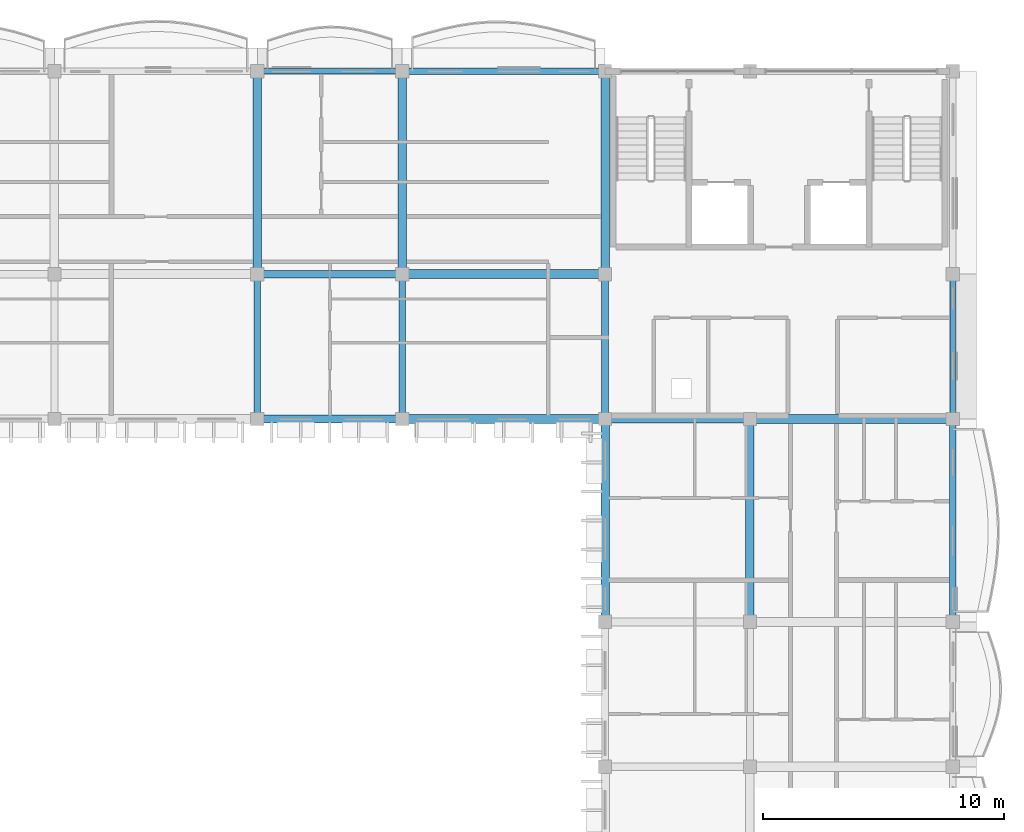
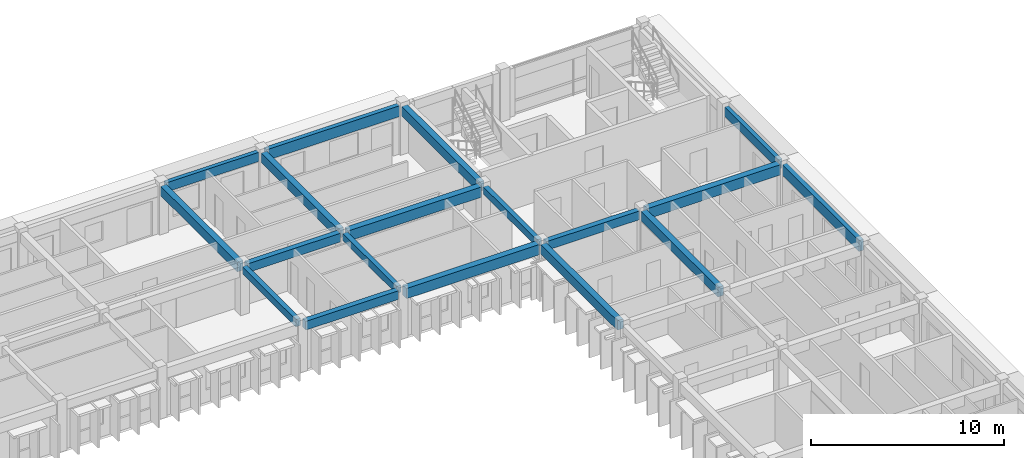
# One storey, part 8 of 59: 18 beams.
"""IFC4 building model written with IfcOpenShell, lengths in metres."""

from ifc_helpers import new_model, si_unit, direction, frame, origin, origin_2d, place, context, subcontext, project, spatial, rectangle, extrude, material, material_profile, profile_set, type_object, element, save


model = new_model("IFC4")

# Units and contexts
model_context = context("Model", 3, precision=1e-05, world=origin(), true_north=direction((0.0, 1.0)))
body_context = subcontext(model_context, "Body", "Model", "MODEL_VIEW")
ifc_project = project(units=[si_unit("LENGTHUNIT", "METRE"), si_unit("AREAUNIT", "SQUARE_METRE"), si_unit("VOLUMEUNIT", "CUBIC_METRE"), si_unit("PLANEANGLEUNIT", "RADIAN"), si_unit("MASSUNIT", "GRAM", prefix="KILO"), si_unit("THERMODYNAMICTEMPERATUREUNIT", "KELVIN")], contexts=[model_context])

# Site, building, storey
site_placement = place(None, origin())
site = spatial("IfcSite", under=ifc_project, at=site_placement, CompositionType="ELEMENT")
building_placement = place(site_placement, origin())
building = spatial("IfcBuilding", under=site, at=building_placement, Name="Thalorik Housing Commons", CompositionType="ELEMENT")
storey_placement = place(building_placement, frame((0.0, 0.0, 27.89990234375)))
storey = spatial("IfcBuildingStorey", under=building, at=storey_placement, Name="L08", CompositionType="ELEMENT", Elevation=27.89990234375)

# Beams
ifc_material = material(Name="Precast concrete C40/50", Category="concrete")
ifc_material_profile_1 = material_profile(ifc_material, rectangle(XDim=0.280029296875, YDim=0.449951171875, at=origin_2d()), Name="PC 280x450", Category="concrete")
ifc_profile_set_1 = profile_set([ifc_material_profile_1], Name="Precast concrete C40/50")
beam_type_1 = type_object("IfcBeamType", Name="STR-BM-PC280x450", PredefinedType="BEAM", material=ifc_profile_set_1)
for number, where, z_axis, x_axis, name in (
    (1, (138.0, 109.425048828125, 2.815185546875), (0.0, 1.0, 0.0), (-1.0, 0.0, 0.0), "L08 Beam B-450"),
    (2, (144.0, 109.425048828125, 2.815185546875), (0.0, 1.0, 0.0), (-1.0, 0.0, 0.0), "L08 Beam B-450"),
    (3, (152.39990234375, 109.425048828125, 2.815185546875), (0.0, 1.0, 0.0), (-1.0, 0.0, 0.0), "L08 Beam B-450"),
):
    element("IfcBeam", number, at=place(storey_placement, frame(where, z_axis=z_axis, x_axis=x_axis)), inside=storey, type_object=beam_type_1, Name=name, PredefinedType="BEAM", context=body_context, shape_type="SweptSolid", body=[
        extrude(rectangle(XDim=0.280029296875, YDim=0.449951171875, at=origin_2d()), origin(), (0.0, 0.0, 1.0), 5.550048828125),
    ])
ifc_material_profile_2 = material_profile(ifc_material, rectangle(XDim=0.320068359375, YDim=0.550048828125, at=origin_2d()), Name="PC 320x550", Category="concrete")
ifc_profile_set_2 = profile_set([ifc_material_profile_2], Name="Precast concrete C40/50")
beam_type_2 = type_object("IfcBeamType", Name="STR-BM-PC320x550", PredefinedType="BEAM", material=ifc_profile_set_2)
beam_1_placement = place(storey_placement, frame((138.22509765625, 109.199951171875, 2.76513671875), z_axis=(1.0, 0.0, 0.0), x_axis=(0.0, 1.0, 0.0)))
element("IfcBeam", 4, at=beam_1_placement, inside=storey, type_object=beam_type_2, Name="L08 Beam B-550", PredefinedType="BEAM", context=body_context, shape_type="SweptSolid", body=[
    extrude(rectangle(XDim=0.320068359375, YDim=0.550048828125, at=origin_2d()), origin(), (0.0, 0.0, 1.0), 5.5498046875),
])
beam_2_placement = place(storey_placement, frame((152.625, 109.199951171875, 2.76513671875), z_axis=(1.0, 0.0, 0.0), x_axis=(0.0, 1.0, 0.0)))
element("IfcBeam", 5, at=beam_2_placement, inside=storey, type_object=beam_type_2, Name="L08 Beam B-550", PredefinedType="BEAM", context=body_context, shape_type="SweptSolid", body=[
    extrude(rectangle(XDim=0.320068359375, YDim=0.550048828125, at=origin_2d()), origin(), (0.0, 0.0, 1.0), 5.550048828125),
])
beam_3_placement = place(storey_placement, frame((138.22509765625, 115.199951171875, 2.76513671875), z_axis=(1.0, 0.0, 0.0), x_axis=(0.0, 1.0, 0.0)))
element("IfcBeam", 6, at=beam_3_placement, inside=storey, type_object=beam_type_2, Name="L08 Beam B-550", PredefinedType="BEAM", context=body_context, shape_type="SweptSolid", body=[
    extrude(rectangle(XDim=0.320068359375, YDim=0.550048828125, at=origin_2d()), origin(), (0.0, 0.0, 1.0), 5.5498046875),
])
ifc_material_profile_3 = material_profile(ifc_material, rectangle(XDim=0.35009765625, YDim=0.60009765625, at=origin_2d()), Name="PC 350x600", Category="concrete")
ifc_profile_set_3 = profile_set([ifc_material_profile_3], Name="Precast concrete C40/50")
beam_type_3 = type_object("IfcBeamType", Name="STR-BM-PC350x600", PredefinedType="BEAM", material=ifc_profile_set_3)
for number, where, z_axis, x_axis, name in (
    (7, (138.0, 115.425048828125, 2.739990234375), (0.0, 1.0, 0.0), (-1.0, 0.0, 0.0), "L08 Beam B-600"),
    (8, (144.0, 115.425048828125, 2.739990234375), (0.0, 1.0, 0.0), (-1.0, 0.0, 0.0), "L08 Beam B-600"),
):
    element("IfcBeam", number, at=place(storey_placement, frame(where, z_axis=z_axis, x_axis=x_axis)), inside=storey, type_object=beam_type_3, Name=name, PredefinedType="BEAM", context=body_context, shape_type="SweptSolid", body=[
        extrude(rectangle(XDim=0.35009765625, YDim=0.60009765625, at=origin_2d()), origin(), (0.0, 0.0, 1.0), 7.949951171875),
    ])
beam_4_placement = place(storey_placement, frame((152.39990234375, 101.02490234375, 2.739990234375), z_axis=(0.0, 1.0, 0.0), x_axis=(-1.0, 0.0, 0.0)))
element("IfcBeam", 9, at=beam_4_placement, inside=storey, type_object=beam_type_3, Name="L08 Beam B-600", PredefinedType="BEAM", context=body_context, shape_type="SweptSolid", body=[
    extrude(rectangle(XDim=0.35009765625, YDim=0.60009765625, at=origin_2d()), origin(), (0.0, 0.0, 1.0), 7.9501953125),
])
beam_5_placement = place(storey_placement, frame((152.39990234375, 115.425048828125, 2.739990234375), z_axis=(0.0, 1.0, 0.0), x_axis=(-1.0, 0.0, 0.0)))
element("IfcBeam", 10, at=beam_5_placement, inside=storey, type_object=beam_type_3, Name="L08 Beam B-600", PredefinedType="BEAM", context=body_context, shape_type="SweptSolid", body=[
    extrude(rectangle(XDim=0.35009765625, YDim=0.60009765625, at=origin_2d()), origin(), (0.0, 0.0, 1.0), 7.949951171875),
])
beam_6_placement = place(storey_placement, frame((158.39990234375, 101.02490234375, 2.739990234375), z_axis=(0.0, 1.0, 0.0), x_axis=(-1.0, 0.0, 0.0)))
element("IfcBeam", 11, at=beam_6_placement, inside=storey, type_object=beam_type_3, Name="L08 Beam B-600", PredefinedType="BEAM", context=body_context, shape_type="SweptSolid", body=[
    extrude(rectangle(XDim=0.35009765625, YDim=0.60009765625, at=origin_2d()), origin(), (0.0, 0.0, 1.0), 7.9501953125),
])
ifc_material_profile_4 = material_profile(ifc_material, rectangle(XDim=0.3798828125, YDim=0.64990234375, at=origin_2d()), Name="PC 380x650", Category="concrete")
ifc_profile_set_4 = profile_set([ifc_material_profile_4], Name="Precast concrete C40/50")
beam_type_4 = type_object("IfcBeamType", Name="STR-BM-PC380x650", PredefinedType="BEAM", material=ifc_profile_set_4)
for number, where, z_axis, x_axis, name in (
    (12, (144.22509765625, 109.199951171875, 2.715087890625), (1.0, 0.0, 0.0), (0.0, 1.0, 0.0), "L08 Beam B-650"),
    (13, (158.625, 109.199951171875, 2.715087890625), (1.0, 0.0, 0.0), (0.0, 1.0, 0.0), "L08 Beam B-650"),
    (14, (144.22509765625, 115.199951171875, 2.715087890625), (1.0, 0.0, 0.0), (0.0, 1.0, 0.0), "L08 Beam B-650"),
):
    element("IfcBeam", number, at=place(storey_placement, frame(where, z_axis=z_axis, x_axis=x_axis)), inside=storey, type_object=beam_type_4, Name=name, PredefinedType="BEAM", context=body_context, shape_type="SweptSolid", body=[
        extrude(rectangle(XDim=0.3798828125, YDim=0.64990234375, at=origin_2d()), origin(), (0.0, 0.0, 1.0), 7.949951171875),
    ])
ifc_material_profile_5 = material_profile(ifc_material, rectangle(XDim=0.239990234375, YDim=0.580078125, at=origin_2d()), Name="PC SP 240x580", Category="concrete")
ifc_profile_set_5 = profile_set([ifc_material_profile_5], Name="Precast concrete C40/50")
beam_type_5 = type_object("IfcBeamType", Name="STR-SP-PC240x580", PredefinedType="SPANDREL", material=ifc_profile_set_5)
beam_7_placement = place(storey_placement, frame((138.22509765625, 123.60009765625, 2.75), z_axis=(1.0, 0.0, 0.0), x_axis=(0.0, 1.0, 0.0)))
element("IfcBeam", 15, at=beam_7_placement, inside=storey, type_object=beam_type_5, Name="L08 Beam B-550", PredefinedType="SPANDREL", context=body_context, shape_type="SweptSolid", body=[
    extrude(rectangle(XDim=0.239990234375, YDim=0.580078125, at=origin_2d()), origin(), (0.0, 0.0, 1.0), 5.5498046875),
])
beam_8_placement = place(storey_placement, frame((166.800048828125, 109.425048828125, 2.75), z_axis=(0.0, 1.0, 0.0), x_axis=(-1.0, 0.0, 0.0)))
element("IfcBeam", 16, at=beam_8_placement, inside=storey, type_object=beam_type_5, Name="L08 Beam B-450", PredefinedType="SPANDREL", context=body_context, shape_type="SweptSolid", body=[
    extrude(rectangle(XDim=0.239990234375, YDim=0.580078125, at=origin_2d()), origin(), (0.0, 0.0, 1.0), 5.550048828125),
])
ifc_material_profile_6 = material_profile(ifc_material, rectangle(XDim=0.260009765625, YDim=0.679931640625, at=origin_2d()), Name="PC SP 260x680", Category="concrete")
ifc_profile_set_6 = profile_set([ifc_material_profile_6], Name="Precast concrete C40/50")
beam_type_6 = type_object("IfcBeamType", Name="STR-SP-PC260x680", PredefinedType="SPANDREL", material=ifc_profile_set_6)
beam_9_placement = place(storey_placement, frame((144.22509765625, 123.60009765625, 2.7001953125), z_axis=(1.0, 0.0, 0.0), x_axis=(0.0, 1.0, 0.0)))
element("IfcBeam", 17, at=beam_9_placement, inside=storey, type_object=beam_type_6, Name="L08 Beam B-650", PredefinedType="SPANDREL", context=body_context, shape_type="SweptSolid", body=[
    extrude(rectangle(XDim=0.260009765625, YDim=0.679931640625, at=origin_2d()), origin(), (0.0, 0.0, 1.0), 7.949951171875),
])
beam_10_placement = place(storey_placement, frame((166.800048828125, 101.02490234375, 2.7001953125), z_axis=(0.0, 1.0, 0.0), x_axis=(-1.0, 0.0, 0.0)))
element("IfcBeam", 18, at=beam_10_placement, inside=storey, type_object=beam_type_6, Name="L08 Beam B-600", PredefinedType="SPANDREL", context=body_context, shape_type="SweptSolid", body=[
    extrude(rectangle(XDim=0.260009765625, YDim=0.679931640625, at=origin_2d()), origin(), (0.0, 0.0, 1.0), 7.9501953125),
])

save(model, "model.ifc")
